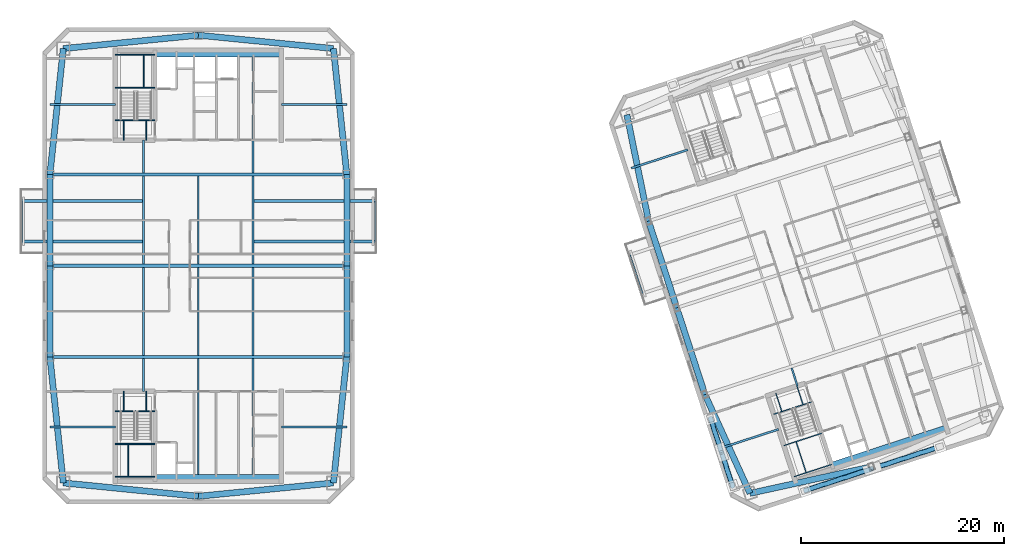
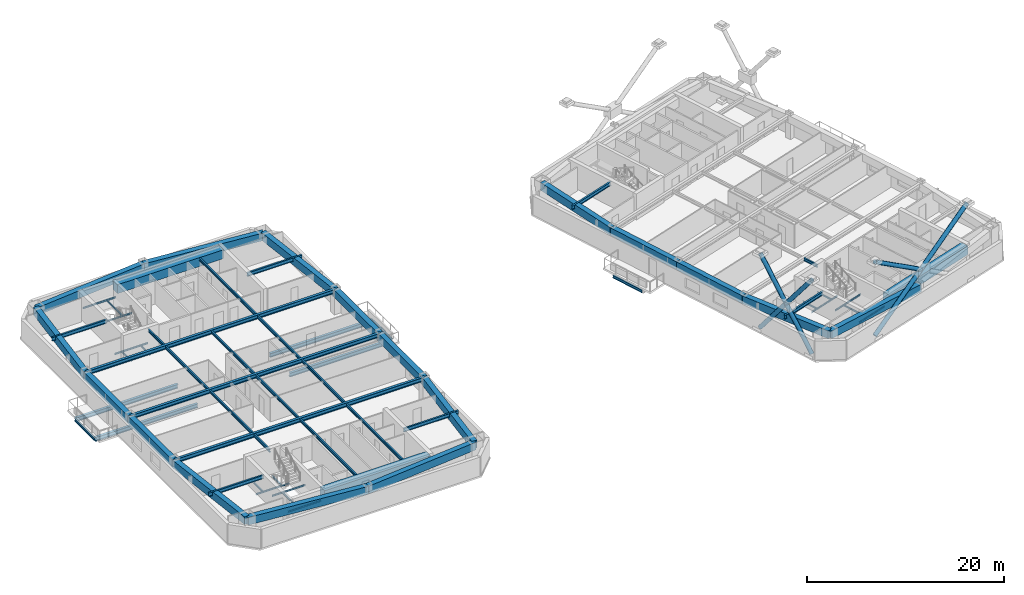
# One storey, part 3 of 16: 66 beams, 7 members.
"""IFC4 building model written with IfcOpenShell, lengths in metres."""

from ifc_helpers import new_model, si_unit, direction, frame, origin, origin_2d, place, context, subcontext, project, spatial, rectangle, hollow_circle, i_section, extrude, material, material_profile, profile_set, type_object, element, save


model = new_model("IFC4")

# Units and contexts
model_context = context("Model", 3, precision=1e-05, world=origin(), true_north=direction((0.0, 1.0)))
body_context = subcontext(model_context, "Body", "Model", "MODEL_VIEW")
ifc_project = project(units=[si_unit("LENGTHUNIT", "METRE"), si_unit("AREAUNIT", "SQUARE_METRE"), si_unit("VOLUMEUNIT", "CUBIC_METRE"), si_unit("PLANEANGLEUNIT", "RADIAN"), si_unit("MASSUNIT", "GRAM", prefix="KILO")], contexts=[model_context])

# Site, building, storey
site_placement = place(None, origin())
site = spatial("IfcSite", under=ifc_project, at=site_placement, CompositionType="ELEMENT")
building_placement = place(site_placement, origin())
building = spatial("IfcBuilding", under=site, at=building_placement, Name="Qiaolan Cultural Towers", CompositionType="ELEMENT")
storey_placement = place(building_placement, frame((0.0, 0.0, 240.800048828125)))
storey = spatial("IfcBuildingStorey", under=building, at=storey_placement, Name="L65", CompositionType="ELEMENT", Elevation=240.800048828125)

# Beams
ifc_material_1 = material(Name="Steel Q355B", Category="steel")
ifc_material_profile_1 = material_profile(ifc_material_1, i_section(OverallWidth=0.300048828125, OverallDepth=0.488037109375, WebThickness=0.010986328125, FlangeThickness=0.01806640625, at=origin_2d()), Name="HM488x300x11x18")
ifc_profile_set_1 = profile_set([ifc_material_profile_1], Name="Steel Q355B")
beam_type_1 = type_object("IfcBeamType", Name="BM-HM488x300x11x18", PredefinedType="BEAM", material=ifc_profile_set_1)
for number, where, z_axis, x_axis, name in (
    (1, (24.60009765625, 36.39990234375, -0.524169921875), (-1.0, 0.0, 0.0), (0.0, -1.0, 0.0), "L65 T1 Tree Balcony Back-Spanned Bracket Beam"),
    (2, (24.60009765625, 40.39990234375, -0.524169921875), (-1.0, 0.0, 0.0), (0.0, -1.0, 0.0), "L65 T1 Tree Balcony Back-Spanned Bracket Beam"),
    (3, (35.39990234375, 36.39990234375, -0.524169921875), (1.0, 0.0, 0.0), (0.0, 1.0, 0.0), "L65 T1 Tree Balcony Back-Spanned Bracket Beam"),
    (4, (35.39990234375, 40.39990234375, -0.524169921875), (1.0, 0.0, 0.0), (0.0, 1.0, 0.0), "L65 T1 Tree Balcony Back-Spanned Bracket Beam"),
):
    element("IfcBeam", number, at=place(storey_placement, frame(where, z_axis=z_axis, x_axis=x_axis)), inside=storey, type_object=beam_type_1, Name=name, PredefinedType="BEAM", context=body_context, shape_type="SweptSolid", body=[
        extrude(i_section(OverallWidth=0.300048828125, OverallDepth=0.488037109375, WebThickness=0.010986328125, FlangeThickness=0.01806640625, at=origin_2d()), origin(), (0.0, 0.0, 1.0), 12.050048828125),
    ])
for number, where, z_axis, x_axis, name in (
    (5, (15.35009765625, 25.0, 2.696044921875), (1.0, 0.0, 0.0), (0.0, 1.0, 0.0), "L65 T1 Primary Transverse Girder V1"),
    (6, (15.35009765625, 34.0, 2.696044921875), (1.0, 0.0, 0.0), (0.0, 1.0, 0.0), "L65 T1 Primary Transverse Girder V2"),
    (7, (15.35009765625, 43.0, 2.696044921875), (1.0, 0.0, 0.0), (0.0, 1.0, 0.0), "L65 T1 Primary Transverse Girder V3"),
):
    element("IfcBeam", number, at=place(storey_placement, frame(where, z_axis=z_axis, x_axis=x_axis)), inside=storey, type_object=beam_type_1, Name=name, PredefinedType="BEAM", context=body_context, shape_type="SweptSolid", body=[
        extrude(i_section(OverallWidth=0.300048828125, OverallDepth=0.488037109375, WebThickness=0.010986328125, FlangeThickness=0.01806640625, at=origin_2d()), origin(), (0.0, 0.0, 1.0), 29.2998046875),
    ])
ifc_material_2 = material(Name="Steel Q355B", Category="steel")
ifc_material_profile_2 = material_profile(ifc_material_2, i_section(OverallWidth=0.175048828125, OverallDepth=0.35009765625, WebThickness=0.007080078125, FlangeThickness=0.010986328125, at=origin_2d()), Name="HN350x175x7x11")
ifc_profile_set_2 = profile_set([ifc_material_profile_2], Name="Steel Q355B")
beam_type_2 = type_object("IfcBeamType", Name="BM-JST-HN350x175x7x11", PredefinedType="JOIST", material=ifc_profile_set_2)
for number, where, z_axis, x_axis, name in (
    (8, (12.550048828125, 36.39990234375, -0.524169921875), (0.0, 1.0, 0.0), (-1.0, 0.0, 0.0), "L65 T1 Tree Balcony Outer Edge Beam"),
    (9, (47.449951171875, 36.39990234375, -0.524169921875), (0.0, 1.0, 0.0), (-1.0, 0.0, 0.0), "L65 T1 Tree Balcony Outer Edge Beam"),
    (10, (73.8037109375, 31.260986328125, -0.524169921875), (-0.309022586479, 0.951054699292, 0.0), (-0.951054699292, -0.309022586479, 0.0), "L65 T2 Tree Balcony Outer Edge Beam"),
):
    element("IfcBeam", number, at=place(storey_placement, frame(where, z_axis=z_axis, x_axis=x_axis)), inside=storey, type_object=beam_type_2, Name=name, PredefinedType="JOIST", context=body_context, shape_type="SweptSolid", body=[
        extrude(i_section(OverallWidth=0.175048828125, OverallDepth=0.35009765625, WebThickness=0.007080078125, FlangeThickness=0.010986328125, at=origin_2d()), origin(), (0.0, 0.0, 1.0), 4.0),
    ])
beam_1_placement = place(storey_placement, frame((24.60009765625, 21.60009765625, 2.764892578125), z_axis=(0.0, 1.0, 0.0), x_axis=(-1.0, 0.0, 0.0)))
element("IfcBeam", 11, at=beam_1_placement, inside=storey, type_object=beam_type_2, Name="L65 T1 Secondary Floor Joist U1-1", PredefinedType="JOIST", context=body_context, shape_type="SweptSolid", body=[
    extrude(i_section(OverallWidth=0.175048828125, OverallDepth=0.35009765625, WebThickness=0.007080078125, FlangeThickness=0.010986328125, at=origin_2d()), origin(), (0.0, 0.0, 1.0), 3.25),
])
for number, where, z_axis, x_axis, name in (
    (12, (24.60009765625, 25.14990234375, 2.764892578125), (0.0, 1.0, 0.0), (-1.0, 0.0, 0.0), "L65 T1 Secondary Floor Joist U1-2"),
    (13, (24.60009765625, 34.14990234375, 2.764892578125), (0.0, 1.0, 0.0), (-1.0, 0.0, 0.0), "L65 T1 Secondary Floor Joist U1-3"),
):
    element("IfcBeam", number, at=place(storey_placement, frame(where, z_axis=z_axis, x_axis=x_axis)), inside=storey, type_object=beam_type_2, Name=name, PredefinedType="JOIST", context=body_context, shape_type="SweptSolid", body=[
        extrude(i_section(OverallWidth=0.175048828125, OverallDepth=0.35009765625, WebThickness=0.007080078125, FlangeThickness=0.010986328125, at=origin_2d()), origin(), (0.0, 0.0, 1.0), 8.7001953125),
    ])
beam_2_placement = place(storey_placement, frame((24.60009765625, 43.14990234375, 2.764892578125), z_axis=(0.0, 1.0, 0.0), x_axis=(-1.0, 0.0, 0.0)))
element("IfcBeam", 14, at=beam_2_placement, inside=storey, type_object=beam_type_2, Name="L65 T1 Secondary Floor Joist U1-4", PredefinedType="JOIST", context=body_context, shape_type="SweptSolid", body=[
    extrude(i_section(OverallWidth=0.175048828125, OverallDepth=0.35009765625, WebThickness=0.007080078125, FlangeThickness=0.010986328125, at=origin_2d()), origin(), (0.0, 0.0, 1.0), 3.25),
])
beam_3_placement = place(storey_placement, frame((30.0, 13.39990234375, 2.764892578125), z_axis=(0.0, 1.0, 0.0), x_axis=(-1.0, 0.0, 0.0)))
element("IfcBeam", 15, at=beam_3_placement, inside=storey, type_object=beam_type_2, Name="L65 T1 Secondary Floor Joist U2-1", PredefinedType="JOIST", context=body_context, shape_type="SweptSolid", body=[
    extrude(i_section(OverallWidth=0.175048828125, OverallDepth=0.35009765625, WebThickness=0.007080078125, FlangeThickness=0.010986328125, at=origin_2d()), origin(), (0.0, 0.0, 1.0), 11.4501953125),
])
for number, where, z_axis, x_axis, name in (
    (16, (30.0, 25.14990234375, 2.764892578125), (0.0, 1.0, 0.0), (-1.0, 0.0, 0.0), "L65 T1 Secondary Floor Joist U2-2"),
    (17, (30.0, 34.14990234375, 2.764892578125), (0.0, 1.0, 0.0), (-1.0, 0.0, 0.0), "L65 T1 Secondary Floor Joist U2-3"),
):
    element("IfcBeam", number, at=place(storey_placement, frame(where, z_axis=z_axis, x_axis=x_axis)), inside=storey, type_object=beam_type_2, Name=name, PredefinedType="JOIST", context=body_context, shape_type="SweptSolid", body=[
        extrude(i_section(OverallWidth=0.175048828125, OverallDepth=0.35009765625, WebThickness=0.007080078125, FlangeThickness=0.010986328125, at=origin_2d()), origin(), (0.0, 0.0, 1.0), 8.7001953125),
    ])
beam_4_placement = place(storey_placement, frame((35.39990234375, 13.39990234375, 2.764892578125), z_axis=(0.0, 1.0, 0.0), x_axis=(-1.0, 0.0, 0.0)))
element("IfcBeam", 18, at=beam_4_placement, inside=storey, type_object=beam_type_2, Name="L65 T1 Secondary Floor Joist U3-1", PredefinedType="JOIST", context=body_context, shape_type="SweptSolid", body=[
    extrude(i_section(OverallWidth=0.175048828125, OverallDepth=0.35009765625, WebThickness=0.007080078125, FlangeThickness=0.010986328125, at=origin_2d()), origin(), (0.0, 0.0, 1.0), 11.4501953125),
])
for number, where, z_axis, x_axis, name in (
    (19, (35.39990234375, 25.14990234375, 2.764892578125), (0.0, 1.0, 0.0), (-1.0, 0.0, 0.0), "L65 T1 Secondary Floor Joist U3-2"),
    (20, (35.39990234375, 34.14990234375, 2.764892578125), (0.0, 1.0, 0.0), (-1.0, 0.0, 0.0), "L65 T1 Secondary Floor Joist U3-3"),
):
    element("IfcBeam", number, at=place(storey_placement, frame(where, z_axis=z_axis, x_axis=x_axis)), inside=storey, type_object=beam_type_2, Name=name, PredefinedType="JOIST", context=body_context, shape_type="SweptSolid", body=[
        extrude(i_section(OverallWidth=0.175048828125, OverallDepth=0.35009765625, WebThickness=0.007080078125, FlangeThickness=0.010986328125, at=origin_2d()), origin(), (0.0, 0.0, 1.0), 8.7001953125),
    ])
beam_5_placement = place(storey_placement, frame((35.39990234375, 43.14990234375, 2.764892578125), z_axis=(0.0, 1.0, 0.0), x_axis=(-1.0, 0.0, 0.0)))
element("IfcBeam", 21, at=beam_5_placement, inside=storey, type_object=beam_type_2, Name="L65 T1 Secondary Floor Joist U3-4", PredefinedType="JOIST", context=body_context, shape_type="SweptSolid", body=[
    extrude(i_section(OverallWidth=0.175048828125, OverallDepth=0.35009765625, WebThickness=0.007080078125, FlangeThickness=0.010986328125, at=origin_2d()), origin(), (0.0, 0.0, 1.0), 11.4501953125),
])
beam_6_placement = place(storey_placement, frame((89.119384765625, 22.147705078125, 2.764892578125), z_axis=(-0.308933885266, 0.951083516067, 0.0), x_axis=(-0.951083516067, -0.308933885266, 0.0)))
element("IfcBeam", 22, at=beam_6_placement, inside=storey, type_object=beam_type_2, Name="L65 T2 Secondary Floor Joist U1-1", PredefinedType="JOIST", context=body_context, shape_type="SweptSolid", body=[
    extrude(i_section(OverallWidth=0.175048828125, OverallDepth=0.35009765625, WebThickness=0.007080078125, FlangeThickness=0.010986328125, at=origin_2d()), origin(), (0.0, 0.0, 1.0), 1.85009765625),
])
ifc_material_3 = material(Name="Steel Q355B", Category="steel")
ifc_material_profile_3 = material_profile(ifc_material_3, i_section(OverallWidth=0.199951171875, OverallDepth=0.449951171875, WebThickness=0.009033203125, FlangeThickness=0.013916015625, at=origin_2d()), Name="HN450x200x9x14")
ifc_profile_set_3 = profile_set([ifc_material_profile_3], Name="Steel Q355B")
beam_type_3 = type_object("IfcBeamType", Name="BM-LNT-HN450x200x9x14", PredefinedType="LINTEL", material=ifc_profile_set_3)
for number, where, z_axis, x_axis, name in (
    (23, (21.800048828125, 18.10009765625, 2.71484375), (-1.0, 0.0, 0.0), (0.0, -1.0, 0.0), "L65 T1 Core Flank Tie Lintel WS"),
    (24, (21.800048828125, 49.89990234375, 2.71484375), (-1.0, 0.0, 0.0), (0.0, -1.0, 0.0), "L65 T1 Core Flank Tie Lintel WN"),
    (25, (38.199951171875, 18.10009765625, 2.71484375), (1.0, 0.0, 0.0), (0.0, 1.0, 0.0), "L65 T1 Core Flank Tie Lintel ES"),
    (26, (38.199951171875, 49.89990234375, 2.71484375), (1.0, 0.0, 0.0), (0.0, 1.0, 0.0), "L65 T1 Core Flank Tie Lintel EN"),
):
    element("IfcBeam", number, at=place(storey_placement, frame(where, z_axis=z_axis, x_axis=x_axis)), inside=storey, type_object=beam_type_3, Name=name, PredefinedType="LINTEL", context=body_context, shape_type="SweptSolid", body=[
        extrude(i_section(OverallWidth=0.199951171875, OverallDepth=0.449951171875, WebThickness=0.009033203125, FlangeThickness=0.013916015625, at=origin_2d()), origin(), (0.0, 0.0, 1.0), 6.449951171875),
    ])
for number, where, z_axis, x_axis, name in (
    (27, (87.252685546875, 17.861083984375, 2.71484375), (-0.951063813276, -0.308994535675, 0.0), (0.308994535675, -0.951063813276, 0.0), "L65 T2 Core Flank Tie Lintel WS"),
    (28, (78.291259765625, 45.44189453125, 2.71484375), (-0.951051548326, -0.309032283793, 0.0), (0.309032283793, -0.951051548326, 0.0), "L65 T2 Core Flank Tie Lintel WN"),
):
    element("IfcBeam", number, at=place(storey_placement, frame(where, z_axis=z_axis, x_axis=x_axis)), inside=storey, type_object=beam_type_3, Name=name, PredefinedType="LINTEL", context=body_context, shape_type="SweptSolid", body=[
        extrude(i_section(OverallWidth=0.199951171875, OverallDepth=0.449951171875, WebThickness=0.009033203125, FlangeThickness=0.013916015625, at=origin_2d()), origin(), (0.0, 0.0, 1.0), 5.85009765625),
    ])
ifc_material_4 = material(Name="Concrete C50", Category="concrete")
ifc_material_profile_4 = material_profile(ifc_material_4, rectangle(XDim=0.89990234375, YDim=1.10009765625, at=origin_2d()), Name="RC900x1100")
ifc_profile_set_4 = profile_set([ifc_material_profile_4], Name="Concrete C50")
beam_type_4 = type_object("IfcBeamType", Name="BM-RC900x1100", PredefinedType="BEAM", material=ifc_profile_set_4)
for number, where, z_axis, x_axis, name in (
    (29, (25.719970703125, 12.949951171875, 2.389892578125), (1.0, 0.0, 0.0), (0.0, 1.0, 0.0), "L65 T1 Core Header Girder S"),
    (30, (25.719970703125, 55.050048828125, 2.389892578125), (1.0, 0.0, 0.0), (0.0, 1.0, 0.0), "L65 T1 Core Header Girder N"),
):
    element("IfcBeam", number, at=place(storey_placement, frame(where, z_axis=z_axis, x_axis=x_axis)), inside=storey, type_object=beam_type_4, Name=name, PredefinedType="BEAM", context=body_context, shape_type="SweptSolid", body=[
        extrude(rectangle(XDim=0.89990234375, YDim=1.10009765625, at=origin_2d()), origin(), (0.0, 0.0, 1.0), 12.47998046875),
    ])
beam_7_placement = place(storey_placement, frame((92.572265625, 14.174560546875, 2.389892578125), z_axis=(0.951056266386, 0.309017763514, 0.0), x_axis=(-0.309017763514, 0.951056266386, 0.0)))
element("IfcBeam", 31, at=beam_7_placement, inside=storey, type_object=beam_type_4, Name="L65 T2 Core Header Girder S", PredefinedType="BEAM", context=body_context, shape_type="SweptSolid", body=[
    extrude(rectangle(XDim=0.89990234375, YDim=1.10009765625, at=origin_2d()), origin(), (0.0, 0.0, 1.0), 11.880126953125),
])
ifc_material_5 = material(Name="Concrete C50", Category="concrete")
ifc_material_profile_5 = material_profile(ifc_material_5, rectangle(XDim=0.60009765625, YDim=0.949951171875, at=origin_2d()), Name="RC600x950")
ifc_profile_set_5 = profile_set([ifc_material_profile_5], Name="Concrete C50")
beam_type_5 = type_object("IfcBeamType", Name="BM-SPD-RC600x950", PredefinedType="SPANDREL", material=ifc_profile_set_5)
for number, where, z_axis, x_axis, name in (
    (32, (16.669921875, 12.570068359375, 2.46484375), (0.995132371263, -0.098547266143, 0.0), (0.098547266143, 0.995132371263, 0.0), "L65 T1 Perimeter Spandrel Beam 1"),
    (33, (30.0, 11.25, 2.46484375), (0.995132371263, 0.098547266143, 0.0), (-0.098547266143, 0.995132371263, 0.0), "L65 T1 Perimeter Spandrel Beam 2"),
):
    element("IfcBeam", number, at=place(storey_placement, frame(where, z_axis=z_axis, x_axis=x_axis)), inside=storey, type_object=beam_type_5, Name=name, PredefinedType="SPANDREL", context=body_context, shape_type="SweptSolid", body=[
        extrude(rectangle(XDim=0.60009765625, YDim=0.949951171875, at=origin_2d()), origin(), (0.0, 0.0, 1.0), 13.395263671875),
    ])
beam_8_placement = place(storey_placement, frame((43.330078125, 12.570068359375, 2.46484375), z_axis=(0.105587580773, 0.994410007384, 0.0), x_axis=(-0.994410007384, 0.105587580773, 0.0)))
element("IfcBeam", 34, at=beam_8_placement, inside=storey, type_object=beam_type_5, Name="L65 T1 Perimeter Spandrel Beam 3", PredefinedType="SPANDREL", context=body_context, shape_type="SweptSolid", body=[
    extrude(rectangle(XDim=0.60009765625, YDim=0.949951171875, at=origin_2d()), origin(), (0.0, 0.0, 1.0), 12.499755859375),
])
for number, where, z_axis, x_axis, name in (
    (35, (44.64990234375, 25.0, 2.46484375), (0.0, 1.0, 0.0), (-1.0, 0.0, 0.0), "L65 T1 Perimeter Spandrel Beam 4"),
    (36, (44.64990234375, 34.0, 2.46484375), (0.0, 1.0, 0.0), (-1.0, 0.0, 0.0), "L65 T1 Perimeter Spandrel Beam 5"),
):
    element("IfcBeam", number, at=place(storey_placement, frame(where, z_axis=z_axis, x_axis=x_axis)), inside=storey, type_object=beam_type_5, Name=name, PredefinedType="SPANDREL", context=body_context, shape_type="SweptSolid", body=[
        extrude(rectangle(XDim=0.60009765625, YDim=0.949951171875, at=origin_2d()), origin(), (0.0, 0.0, 1.0), 9.0),
    ])
beam_9_placement = place(storey_placement, frame((44.64990234375, 43.0, 2.46484375), z_axis=(-0.105587580773, 0.994410007384, 0.0), x_axis=(-0.994410007384, -0.105587580773, 0.0)))
element("IfcBeam", 37, at=beam_9_placement, inside=storey, type_object=beam_type_5, Name="L65 T1 Perimeter Spandrel Beam 6", PredefinedType="SPANDREL", context=body_context, shape_type="SweptSolid", body=[
    extrude(rectangle(XDim=0.60009765625, YDim=0.949951171875, at=origin_2d()), origin(), (0.0, 0.0, 1.0), 12.499755859375),
])
for number, where, z_axis, x_axis, name in (
    (38, (43.330078125, 55.429931640625, 2.46484375), (-0.995132371263, 0.098547266143, 0.0), (-0.098547266143, -0.995132371263, 0.0), "L65 T1 Perimeter Spandrel Beam 7"),
    (39, (30.0, 56.75, 2.46484375), (-0.995132371263, -0.098547266143, 0.0), (0.098547266143, -0.995132371263, 0.0), "L65 T1 Perimeter Spandrel Beam 8"),
):
    element("IfcBeam", number, at=place(storey_placement, frame(where, z_axis=z_axis, x_axis=x_axis)), inside=storey, type_object=beam_type_5, Name=name, PredefinedType="SPANDREL", context=body_context, shape_type="SweptSolid", body=[
        extrude(rectangle(XDim=0.60009765625, YDim=0.949951171875, at=origin_2d()), origin(), (0.0, 0.0, 1.0), 13.395263671875),
    ])
beam_10_placement = place(storey_placement, frame((16.669921875, 55.429931640625, 2.46484375), z_axis=(-0.105587580773, -0.994410007384, 0.0), x_axis=(0.994410007384, -0.105587580773, 0.0)))
element("IfcBeam", 40, at=beam_10_placement, inside=storey, type_object=beam_type_5, Name="L65 T1 Perimeter Spandrel Beam 9", PredefinedType="SPANDREL", context=body_context, shape_type="SweptSolid", body=[
    extrude(rectangle(XDim=0.60009765625, YDim=0.949951171875, at=origin_2d()), origin(), (0.0, 0.0, 1.0), 12.499755859375),
])
for number, where, z_axis, x_axis, name in (
    (41, (15.35009765625, 43.0, 2.46484375), (0.0, -1.0, 0.0), (1.0, 0.0, 0.0), "L65 T1 Perimeter Spandrel Beam 10"),
    (42, (15.35009765625, 34.0, 2.46484375), (0.0, -1.0, 0.0), (1.0, 0.0, 0.0), "L65 T1 Perimeter Spandrel Beam 11"),
):
    element("IfcBeam", number, at=place(storey_placement, frame(where, z_axis=z_axis, x_axis=x_axis)), inside=storey, type_object=beam_type_5, Name=name, PredefinedType="SPANDREL", context=body_context, shape_type="SweptSolid", body=[
        extrude(rectangle(XDim=0.60009765625, YDim=0.949951171875, at=origin_2d()), origin(), (0.0, 0.0, 1.0), 9.0),
    ])
beam_11_placement = place(storey_placement, frame((15.35009765625, 25.0, 2.46484375), z_axis=(0.105587580773, -0.994410007384, 0.0), x_axis=(0.994410007384, 0.105587580773, 0.0)))
element("IfcBeam", 43, at=beam_11_placement, inside=storey, type_object=beam_type_5, Name="L65 T1 Perimeter Spandrel Beam 12", PredefinedType="SPANDREL", context=body_context, shape_type="SweptSolid", body=[
    extrude(rectangle(XDim=0.60009765625, YDim=0.949951171875, at=origin_2d()), origin(), (0.0, 0.0, 1.0), 12.499755859375),
])
beam_12_placement = place(storey_placement, frame((84.42822265625, 11.538818359375, 2.46484375), z_axis=(0.976843395078, 0.213955559619, 0.0), x_axis=(-0.213955559619, 0.976843395078, 0.0)))
element("IfcBeam", 44, at=beam_12_placement, inside=storey, type_object=beam_type_5, Name="L65 T2 Perimeter Spandrel Beam 1", PredefinedType="SPANDREL", context=body_context, shape_type="SweptSolid", body=[
    extrude(rectangle(XDim=0.60009765625, YDim=0.949951171875, at=origin_2d()), origin(), (0.0, 0.0, 1.0), 12.2998046875),
])
beam_13_placement = place(storey_placement, frame((72.2900390625, 48.896484375, 2.46484375), z_axis=(0.199578538116, -0.979881833245, 0.0), x_axis=(0.979881833245, 0.199578538116, 0.0)))
element("IfcBeam", 45, at=beam_13_placement, inside=storey, type_object=beam_type_5, Name="L65 T2 Perimeter Spandrel Beam 9", PredefinedType="SPANDREL", context=body_context, shape_type="SweptSolid", body=[
    extrude(rectangle(XDim=0.60009765625, YDim=0.949951171875, at=origin_2d()), origin(), (0.0, 0.0, 1.0), 10.70849609375),
])
for number, where, z_axis, x_axis, name in (
    (46, (74.42724609375, 38.4033203125, 2.46484375), (0.309000197986, -0.951061973609, 0.0), (0.951061973609, 0.309000197986, 0.0), "L65 T2 Perimeter Spandrel Beam 10"),
    (47, (77.208251953125, 29.84375, 2.46484375), (0.309024734286, -0.951054001411, 0.0), (0.951054001411, 0.309024734286, 0.0), "L65 T2 Perimeter Spandrel Beam 11"),
):
    element("IfcBeam", number, at=place(storey_placement, frame(where, z_axis=z_axis, x_axis=x_axis)), inside=storey, type_object=beam_type_5, Name=name, PredefinedType="SPANDREL", context=body_context, shape_type="SweptSolid", body=[
        extrude(rectangle(XDim=0.60009765625, YDim=0.949951171875, at=origin_2d()), origin(), (0.0, 0.0, 1.0), 9.0),
    ])
beam_14_placement = place(storey_placement, frame((79.989501953125, 21.2841796875, 2.46484375), z_axis=(0.414500208282, -0.910049216985, 0.0), x_axis=(0.910049216985, 0.414500208282, 0.0)))
element("IfcBeam", 48, at=beam_14_placement, inside=storey, type_object=beam_type_5, Name="L65 T2 Perimeter Spandrel Beam 12", PredefinedType="SPANDREL", context=body_context, shape_type="SweptSolid", body=[
    extrude(rectangle(XDim=0.60009765625, YDim=0.949951171875, at=origin_2d()), origin(), (0.0, 0.0, 1.0), 10.70849609375),
])
ifc_material_6 = material(Name="Steel Q355B", Category="steel")
ifc_material_profile_6 = material_profile(ifc_material_6, i_section(OverallWidth=0.10009765625, OverallDepth=0.199951171875, WebThickness=0.005615234375, FlangeThickness=0.008056640625, at=origin_2d()), Name="HN200x100x5.5x8")
ifc_profile_set_6 = profile_set([ifc_material_profile_6], Name="Steel Q355B")
beam_type_6 = type_object("IfcBeamType", Name="BM-STTRIM-200", PredefinedType="BEAM", material=ifc_profile_set_6)
beam_15_placement = place(storey_placement, frame((21.800048828125, 19.659912109375, -0.4599609375), z_axis=(1.0, 0.0, 0.0), x_axis=(0.0, 1.0, 0.0)))
element("IfcBeam", 49, at=beam_15_placement, inside=storey, type_object=beam_type_6, Name="L65 ST-W1 Floor Landing Header Beam", PredefinedType="BEAM", context=body_context, shape_type="SweptSolid", body=[
    extrude(i_section(OverallWidth=0.10009765625, OverallDepth=0.199951171875, WebThickness=0.005615234375, FlangeThickness=0.008056640625, at=origin_2d()), origin(), (0.0, 0.0, 1.0), 3.919921875),
])
for number, where, z_axis, x_axis, name in (
    (50, (22.64990234375, 21.60009765625, -0.4599609375), (0.0, -1.0, 0.0), (1.0, 0.0, 0.0), "L65 ST-W1 Floor Landing Stringer 1"),
    (51, (24.85009765625, 21.60009765625, -0.4599609375), (0.0, -1.0, 0.0), (1.0, 0.0, 0.0), "L65 ST-W1 Floor Landing Stringer 2"),
):
    element("IfcBeam", number, at=place(storey_placement, frame(where, z_axis=z_axis, x_axis=x_axis)), inside=storey, type_object=beam_type_6, Name=name, PredefinedType="BEAM", context=body_context, shape_type="SweptSolid", body=[
        extrude(i_section(OverallWidth=0.10009765625, OverallDepth=0.199951171875, WebThickness=0.005615234375, FlangeThickness=0.008056640625, at=origin_2d()), origin(), (0.0, 0.0, 1.0), 1.940185546875),
    ])
for number, where, z_axis, x_axis, name in (
    (52, (21.800048828125, 16.411376953125, 1.300048828125), (1.0, 0.0, 0.0), (0.0, 1.0, 0.0), "L65 ST-W1 Stair Landing Support Beam 1-1"),
    (53, (21.800048828125, 13.179931640625, 1.300048828125), (1.0, 0.0, 0.0), (0.0, 1.0, 0.0), "L65 ST-W1 Stair Landing Support Beam 1-2"),
):
    element("IfcBeam", number, at=place(storey_placement, frame(where, z_axis=z_axis, x_axis=x_axis)), inside=storey, type_object=beam_type_6, Name=name, PredefinedType="BEAM", context=body_context, shape_type="SweptSolid", body=[
        extrude(i_section(OverallWidth=0.10009765625, OverallDepth=0.199951171875, WebThickness=0.005615234375, FlangeThickness=0.008056640625, at=origin_2d()), origin(), (0.0, 0.0, 1.0), 3.919921875),
    ])
beam_16_placement = place(storey_placement, frame((23.070068359375, 16.411376953125, 1.300048828125), z_axis=(0.0, -1.0, 0.0), x_axis=(1.0, 0.0, 0.0)))
element("IfcBeam", 54, at=beam_16_placement, inside=storey, type_object=beam_type_6, Name="L65 ST-W1 Stair Landing Trimmer 1", PredefinedType="BEAM", context=body_context, shape_type="SweptSolid", body=[
    extrude(i_section(OverallWidth=0.10009765625, OverallDepth=0.199951171875, WebThickness=0.005615234375, FlangeThickness=0.008056640625, at=origin_2d()), origin(), (0.0, 0.0, 1.0), 3.2314453125),
])
beam_17_placement = place(storey_placement, frame((21.800048828125, 48.340087890625, -0.4599609375), z_axis=(1.0, 0.0, 0.0), x_axis=(0.0, 1.0, 0.0)))
element("IfcBeam", 55, at=beam_17_placement, inside=storey, type_object=beam_type_6, Name="L65 ST-W2 Floor Landing Header Beam", PredefinedType="BEAM", context=body_context, shape_type="SweptSolid", body=[
    extrude(i_section(OverallWidth=0.10009765625, OverallDepth=0.199951171875, WebThickness=0.005615234375, FlangeThickness=0.008056640625, at=origin_2d()), origin(), (0.0, 0.0, 1.0), 3.919921875),
])
for number, where, z_axis, x_axis, name in (
    (56, (22.64990234375, 46.39990234375, -0.4599609375), (0.0, 1.0, 0.0), (-1.0, 0.0, 0.0), "L65 ST-W2 Floor Landing Stringer 1"),
    (57, (24.85009765625, 46.39990234375, -0.4599609375), (0.0, 1.0, 0.0), (-1.0, 0.0, 0.0), "L65 ST-W2 Floor Landing Stringer 2"),
):
    element("IfcBeam", number, at=place(storey_placement, frame(where, z_axis=z_axis, x_axis=x_axis)), inside=storey, type_object=beam_type_6, Name=name, PredefinedType="BEAM", context=body_context, shape_type="SweptSolid", body=[
        extrude(i_section(OverallWidth=0.10009765625, OverallDepth=0.199951171875, WebThickness=0.005615234375, FlangeThickness=0.008056640625, at=origin_2d()), origin(), (0.0, 0.0, 1.0), 1.940185546875),
    ])
for number, where, z_axis, x_axis, name in (
    (58, (21.800048828125, 51.588623046875, 1.300048828125), (1.0, 0.0, 0.0), (0.0, 1.0, 0.0), "L65 ST-W2 Stair Landing Support Beam 1-1"),
    (59, (21.800048828125, 54.820068359375, 1.300048828125), (1.0, 0.0, 0.0), (0.0, 1.0, 0.0), "L65 ST-W2 Stair Landing Support Beam 1-2"),
):
    element("IfcBeam", number, at=place(storey_placement, frame(where, z_axis=z_axis, x_axis=x_axis)), inside=storey, type_object=beam_type_6, Name=name, PredefinedType="BEAM", context=body_context, shape_type="SweptSolid", body=[
        extrude(i_section(OverallWidth=0.10009765625, OverallDepth=0.199951171875, WebThickness=0.005615234375, FlangeThickness=0.008056640625, at=origin_2d()), origin(), (0.0, 0.0, 1.0), 3.919921875),
    ])
beam_18_placement = place(storey_placement, frame((24.610107421875, 51.588623046875, 1.300048828125), z_axis=(0.0, 1.0, 0.0), x_axis=(-1.0, 0.0, 0.0)))
element("IfcBeam", 60, at=beam_18_placement, inside=storey, type_object=beam_type_6, Name="L65 ST-W2 Stair Landing Trimmer 1", PredefinedType="BEAM", context=body_context, shape_type="SweptSolid", body=[
    extrude(i_section(OverallWidth=0.10009765625, OverallDepth=0.199951171875, WebThickness=0.005615234375, FlangeThickness=0.008056640625, at=origin_2d()), origin(), (0.0, 0.0, 1.0), 3.2314453125),
])
beam_19_placement = place(storey_placement, frame((86.770751953125, 19.3447265625, -0.4599609375), z_axis=(0.951047798727, 0.309043823005, 0.0), x_axis=(-0.309043823005, 0.951047798727, 0.0)))
element("IfcBeam", 61, at=beam_19_placement, inside=storey, type_object=beam_type_6, Name="L65 ST-E1 Floor Landing Header Beam", PredefinedType="BEAM", context=body_context, shape_type="SweptSolid", body=[
    extrude(i_section(OverallWidth=0.10009765625, OverallDepth=0.199951171875, WebThickness=0.005615234375, FlangeThickness=0.008056640625, at=origin_2d()), origin(), (0.0, 0.0, 1.0), 3.919921875),
])
for number, where, z_axis, x_axis, name in (
    (62, (86.9794921875, 21.452392578125, -0.4599609375), (0.309083226701, -0.951034993558, 0.0), (0.951034993558, 0.309083226701, 0.0), "L65 ST-E1 Floor Landing Stringer 1"),
    (63, (89.07177734375, 22.13232421875, -0.4599609375), (0.309083226701, -0.951034993558, 0.0), (0.951034993558, 0.309083226701, 0.0), "L65 ST-E1 Floor Landing Stringer 2"),
):
    element("IfcBeam", number, at=place(storey_placement, frame(where, z_axis=z_axis, x_axis=x_axis)), inside=storey, type_object=beam_type_6, Name=name, PredefinedType="BEAM", context=body_context, shape_type="SweptSolid", body=[
        extrude(i_section(OverallWidth=0.10009765625, OverallDepth=0.199951171875, WebThickness=0.005615234375, FlangeThickness=0.008056640625, at=origin_2d()), origin(), (0.0, 0.0, 1.0), 1.93994140625),
    ])
for number, where, z_axis, x_axis, name in (
    (64, (87.774658203125, 16.255126953125, 1.300048828125), (0.951047798727, 0.309043823005, 0.0), (-0.309043823005, 0.951047798727, 0.0), "L65 ST-E1 Stair Landing Support Beam 1-1"),
    (65, (88.773193359375, 13.181884765625, 1.300048828125), (0.951047798727, 0.309043823005, 0.0), (-0.309043823005, 0.951047798727, 0.0), "L65 ST-E1 Stair Landing Support Beam 1-2"),
):
    element("IfcBeam", number, at=place(storey_placement, frame(where, z_axis=z_axis, x_axis=x_axis)), inside=storey, type_object=beam_type_6, Name=name, PredefinedType="BEAM", context=body_context, shape_type="SweptSolid", body=[
        extrude(i_section(OverallWidth=0.10009765625, OverallDepth=0.199951171875, WebThickness=0.005615234375, FlangeThickness=0.008056640625, at=origin_2d()), origin(), (0.0, 0.0, 1.0), 3.919921875),
    ])
beam_20_placement = place(storey_placement, frame((88.982421875, 16.6474609375, 1.300048828125), z_axis=(0.309033108495, -0.951051280349, 0.0), x_axis=(0.951051280349, 0.309033108495, 0.0)))
element("IfcBeam", 66, at=beam_20_placement, inside=storey, type_object=beam_type_6, Name="L65 ST-E1 Stair Landing Trimmer 1", PredefinedType="BEAM", context=body_context, shape_type="SweptSolid", body=[
    extrude(i_section(OverallWidth=0.10009765625, OverallDepth=0.199951171875, WebThickness=0.005615234375, FlangeThickness=0.008056640625, at=origin_2d()), origin(), (0.0, 0.0, 1.0), 3.231201171875),
])

# Members
ifc_material_7 = material(Name="Steel Q355B", Category="steel")
ifc_material_profile_7 = material_profile(ifc_material_7, hollow_circle(Radius=0.25, WallThickness=0.02490234375, at=origin_2d()), Name="CHS500x25")
ifc_profile_set_7 = profile_set([ifc_material_profile_7], Name="Steel Q355B")
member_type = type_object("IfcMemberType", Name="MBR-BRC-CHS500x25", PredefinedType="BRACE", material=ifc_profile_set_7)
member_1_placement = place(storey_placement, frame((82.719482421875, 12.23486328125, 0.14990234375), z_axis=(-0.18861667525, 0.580476061079, 0.792130855561), x_axis=(-0.951052389726, -0.30902969436, 0.0)))
element("IfcMember", 67, at=member_1_placement, inside=storey, type_object=member_type, Name="T2 WEST Perimeter Frame Diagonal E-Z4-M4-D1A", PredefinedType="BRACE", context=body_context, shape_type="SweptSolid", body=[
    extrude(hollow_circle(Radius=0.25, WallThickness=0.02490234375, at=origin_2d()), origin(), (0.0, 0.0, 1.0), 5.775390625),
])
member_2_placement = place(storey_placement, frame((81.630126953125, 15.58740234375, 4.724853515625), z_axis=(-0.188610359611, 0.580456624424, 0.792146602221), x_axis=(-0.951052389726, -0.30902969436, 0.0)))
element("IfcMember", 68, at=member_2_placement, inside=storey, type_object=member_type, Name="T2 WEST Perimeter Frame Diagonal E-Z4-M4-D1B", PredefinedType="BRACE", context=body_context, shape_type="SweptSolid", body=[
    extrude(hollow_circle(Radius=0.25, WallThickness=0.02490234375, at=origin_2d()), origin(), (0.0, 0.0, 1.0), 5.775634765625),
])
member_3_placement = place(storey_placement, frame((80.540771484375, 18.93994140625, 0.14990234375), z_axis=(0.18861667525, -0.580476061079, 0.792130855561), x_axis=(0.951052389726, 0.30902969436, 0.0)))
element("IfcMember", 69, at=member_3_placement, inside=storey, type_object=member_type, Name="T2 WEST Perimeter Frame Diagonal E-Z4-M4-D2A", PredefinedType="BRACE", context=body_context, shape_type="SweptSolid", body=[
    extrude(hollow_circle(Radius=0.25, WallThickness=0.02490234375, at=origin_2d()), origin(), (0.0, 0.0, 1.0), 5.775390625),
])
member_4_placement = place(storey_placement, frame((81.630126953125, 15.58740234375, 4.724853515625), z_axis=(0.188610359611, -0.580456624424, 0.792146602221), x_axis=(0.951052389726, 0.30902969436, 0.0)))
element("IfcMember", 70, at=member_4_placement, inside=storey, type_object=member_type, Name="T2 WEST Perimeter Frame Diagonal E-Z4-M4-D2B", PredefinedType="BRACE", context=body_context, shape_type="SweptSolid", body=[
    extrude(hollow_circle(Radius=0.25, WallThickness=0.02490234375, at=origin_2d()), origin(), (0.0, 0.0, 1.0), 5.775634765625),
])
member_5_placement = place(storey_placement, frame((89.847412109375, 11.817138671875, 0.14990234375), z_axis=(0.796112211304, 0.258665671354, 0.547080814391), x_axis=(-0.309009574742, 0.951058927048, 0.0)))
element("IfcMember", 71, at=member_5_placement, inside=storey, type_object=member_type, Name="T2 SOUTH Perimeter Frame Diagonal E-Z4-M4-D1A", PredefinedType="BRACE", context=body_context, shape_type="SweptSolid", body=[
    extrude(hollow_circle(Radius=0.25, WallThickness=0.02490234375, at=origin_2d()), origin(), (0.0, 0.0, 1.0), 8.362548828125),
])
member_6_placement = place(storey_placement, frame((96.5048828125, 13.980224609375, 4.724853515625), z_axis=(0.796088803772, 0.258667551761, 0.547113986456), x_axis=(-0.309019824916, 0.951055596592, 0.0)))
element("IfcMember", 72, at=member_6_placement, inside=storey, type_object=member_type, Name="T2 SOUTH Perimeter Frame Diagonal E-Z4-M4-D1B", PredefinedType="BRACE", context=body_context, shape_type="SweptSolid", body=[
    extrude(hollow_circle(Radius=0.25, WallThickness=0.02490234375, at=origin_2d()), origin(), (0.0, 0.0, 1.0), 8.3623046875),
])
member_7_placement = place(storey_placement, frame((96.5048828125, 13.980224609375, 4.724853515625), z_axis=(-0.796099495846, -0.258661539961, 0.547101270753), x_axis=(0.309009574742, -0.951058927048, 0.0)))
element("IfcMember", 73, at=member_7_placement, inside=storey, type_object=member_type, Name="T2 SOUTH Perimeter Frame Diagonal E-Z4-M4-D2B", PredefinedType="BRACE", context=body_context, shape_type="SweptSolid", body=[
    extrude(hollow_circle(Radius=0.25, WallThickness=0.02490234375, at=origin_2d()), origin(), (0.0, 0.0, 1.0), 8.362548828125),
])

save(model, "model.ifc")
